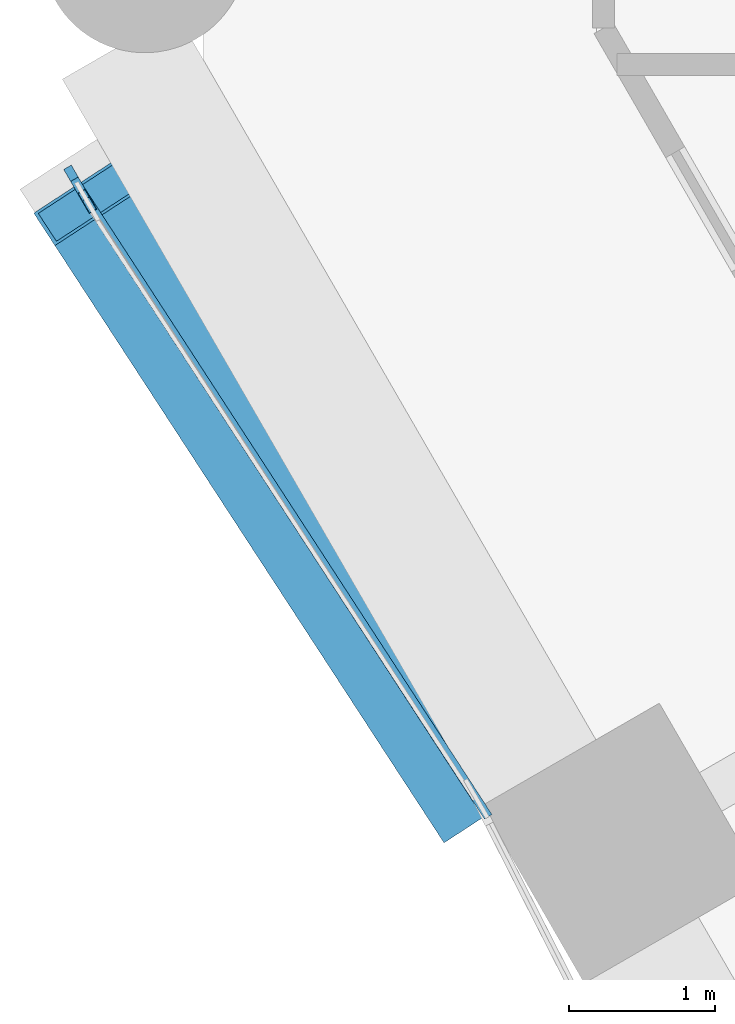
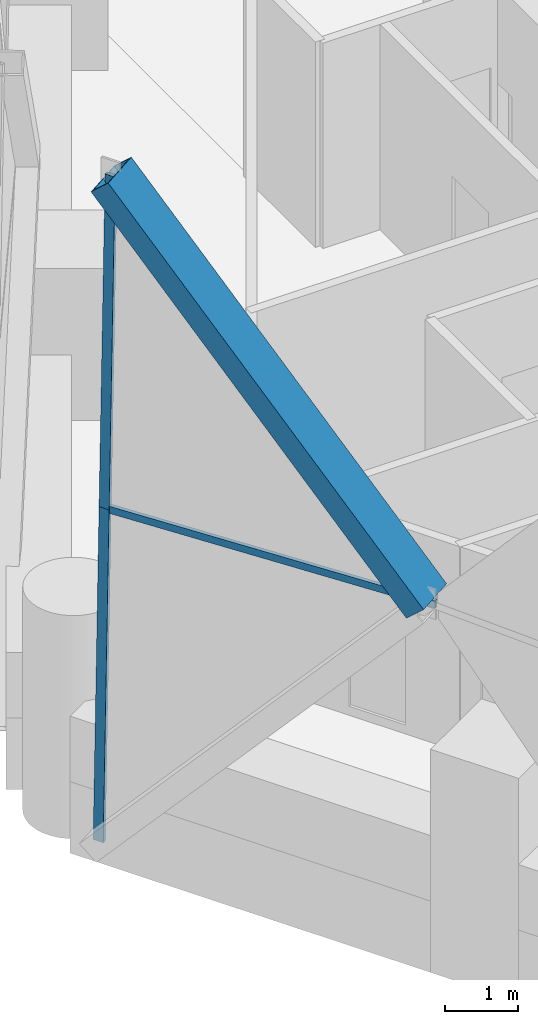
# One storey, part 9 of 35: 4 members, 2 elements without a shape of their own.
"""IFC4 building model written with IfcOpenShell, lengths in metres."""

from ifc_helpers import new_model, si_unit, direction, frame, origin, origin_2d, place, context, subcontext, project, spatial, hollow_rectangle, extrude, material, material_profile, profile_set, type_object, element, aggregate, save


model = new_model("IFC4")

# Units and contexts
model_context = context("Model", 3, precision=1e-05, world=origin(), true_north=direction((0.0, 1.0)))
body_context = subcontext(model_context, "Body", "Model", "MODEL_VIEW")
ifc_project = project(units=[si_unit("LENGTHUNIT", "METRE"), si_unit("AREAUNIT", "SQUARE_METRE"), si_unit("VOLUMEUNIT", "CUBIC_METRE"), si_unit("PLANEANGLEUNIT", "RADIAN"), si_unit("MASSUNIT", "GRAM", prefix="KILO")], contexts=[model_context])

# Site, building, storey
site_placement = place(None, origin())
site = spatial("IfcSite", under=ifc_project, at=site_placement, CompositionType="ELEMENT")
building_placement = place(site_placement, origin())
building = spatial("IfcBuilding", under=site, at=building_placement, Name="Ostrander Bayou Hotel Tower", CompositionType="ELEMENT")
storey_placement = place(building_placement, frame((0.0, 0.0, 69.25)))
storey = spatial("IfcBuildingStorey", under=building, at=storey_placement, Name="L17", CompositionType="ELEMENT", Elevation=69.25)

# Curtain wall, members
ifc_material_1 = material(Name="Aluminium and clear glass", Category="aluminium")
curtain_wall_type = type_object("IfcCurtainWallType", Name="CW-LAT lattice glazing", PredefinedType="NOTDEFINED", material=ifc_material_1)
curtain_wall_1_placement = place(storey_placement, origin())
curtain_wall_1 = element("IfcCurtainWall", 1, at=curtain_wall_1_placement, inside=storey, type_object=curtain_wall_type, Name="CW-LAT L17 SW 1", PredefinedType="NOTDEFINED")
ifc_material_2 = material(Name="Aluminium", Category="aluminium")
ifc_material_profile_1 = material_profile(ifc_material_2, hollow_rectangle(XDim=0.06005859375, YDim=0.159912109375, WallThickness=0.00390625, at=origin_2d()))
ifc_profile_set_1 = profile_set([ifc_material_profile_1], Name="Aluminium")
member_type_1 = type_object("IfcMemberType", Name="CW-LA mullion 60 x 160 mm", PredefinedType="MULLION", material=ifc_profile_set_1)
member_1_placement = place(storey_placement, frame((-24.1162109375, -2.369873046875, -0.60009765625), z_axis=(0.008418950603, -0.014537878618, 0.99985887572), x_axis=(0.865367327112, 0.50113809391, 0.0)))
member_1 = element("IfcMember", 2, at=member_1_placement, type_object=member_type_1, Name="CW-LAT mullion 1", PredefinedType="MULLION", context=body_context, shape_type="SweptSolid", body=[
    extrude(hollow_rectangle(XDim=0.06005859375, YDim=0.159912109375, WallThickness=0.00390625, at=origin_2d()), origin(), (0.0, 0.0, 1.0), 5.625732421875),
])
member_2_placement = place(storey_placement, frame((-24.06884765625, -2.45166015625, 5.02490234375), z_axis=(0.008418950603, -0.014537878618, 0.99985887572), x_axis=(0.865367327112, 0.50113809391, 0.0)))
member_2 = element("IfcMember", 3, at=member_2_placement, type_object=member_type_1, Name="CW-LAT mullion 2", PredefinedType="MULLION", context=body_context, shape_type="SweptSolid", body=[
    extrude(hollow_rectangle(XDim=0.06005859375, YDim=0.159912109375, WallThickness=0.00390625, at=origin_2d()), origin(), (0.0, 0.0, 1.0), 5.625732421875),
])
aggregate(curtain_wall_1, [member_1, member_2])

# Curtain wall, member
curtain_wall_2_placement = place(storey_placement, origin())
curtain_wall_2 = element("IfcCurtainWall", 4, at=curtain_wall_2_placement, inside=storey, type_object=curtain_wall_type, Name="CW-LAT L17 SW 2", PredefinedType="NOTDEFINED")
ifc_material_3 = material(Name="Aluminium", Category="aluminium")
ifc_material_profile_2 = material_profile(ifc_material_3, hollow_rectangle(XDim=0.06005859375, YDim=0.1201171875, WallThickness=0.00390625, at=origin_2d()))
ifc_profile_set_2 = profile_set([ifc_material_profile_2], Name="Aluminium")
member_type_2 = type_object("IfcMemberType", Name="CW-LA transom 60 x 120 mm", PredefinedType="USERDEFINED", material=ifc_profile_set_2)
member_3_placement = place(storey_placement, frame((-24.06884765625, -2.45166015625, 5.02490234375), z_axis=(0.545060556249, -0.838396678203, 0.0), x_axis=(0.838396678203, 0.545060556249, 0.0)))
member_3 = element("IfcMember", 5, at=member_3_placement, type_object=member_type_2, Name="CW-LAT transom 3", ObjectType="TRANSOM", PredefinedType="USERDEFINED", context=body_context, shape_type="SweptSolid", body=[
    extrude(hollow_rectangle(XDim=0.06005859375, YDim=0.1201171875, WallThickness=0.00390625, at=origin_2d()), origin(), (0.0, 0.0, 1.0), 5.1103515625),
])
aggregate(curtain_wall_2, [member_3])

# Member
ifc_material_4 = material(Name="Steel ASTM A572 Gr 50", Category="steel")
ifc_material_profile_3 = material_profile(ifc_material_4, hollow_rectangle(XDim=0.699951171875, YDim=0.35009765625, WallThickness=0.02490234375, at=origin_2d()))
ifc_profile_set_3 = profile_set([ifc_material_profile_3], Name="Steel ASTM A572 Gr 50")
member_type_3 = type_object("IfcMemberType", Name="LT1 lattice member box 700 x 350 x 25 mm", PredefinedType="BRACE", material=ifc_profile_set_3)
member_4_placement = place(storey_placement, frame((-21.364013671875, -6.6123046875, 5.02490234375), z_axis=(-0.357231282887, 0.548301611685, 0.756142283668), x_axis=(-0.837859930444, -0.5458852782, 0.0)))
element("IfcMember", 6, at=member_4_placement, inside=storey, type_object=member_type_3, Name="LT1 L17 SW 2", PredefinedType="BRACE", context=body_context, shape_type="SweptSolid", body=[
    extrude(hollow_rectangle(XDim=0.699951171875, YDim=0.35009765625, WallThickness=0.02490234375, at=origin_2d()), origin(), (0.0, 0.0, 1.0), 7.43896484375),
])

save(model, "model.ifc")
